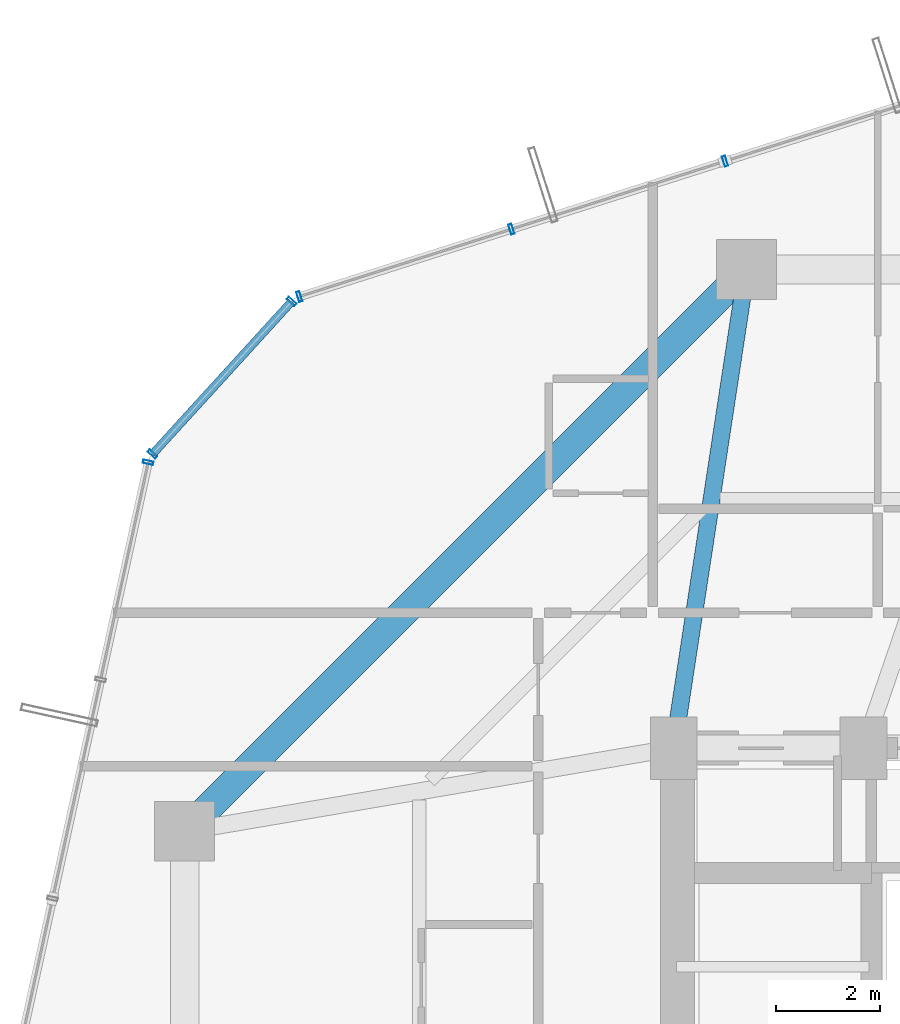
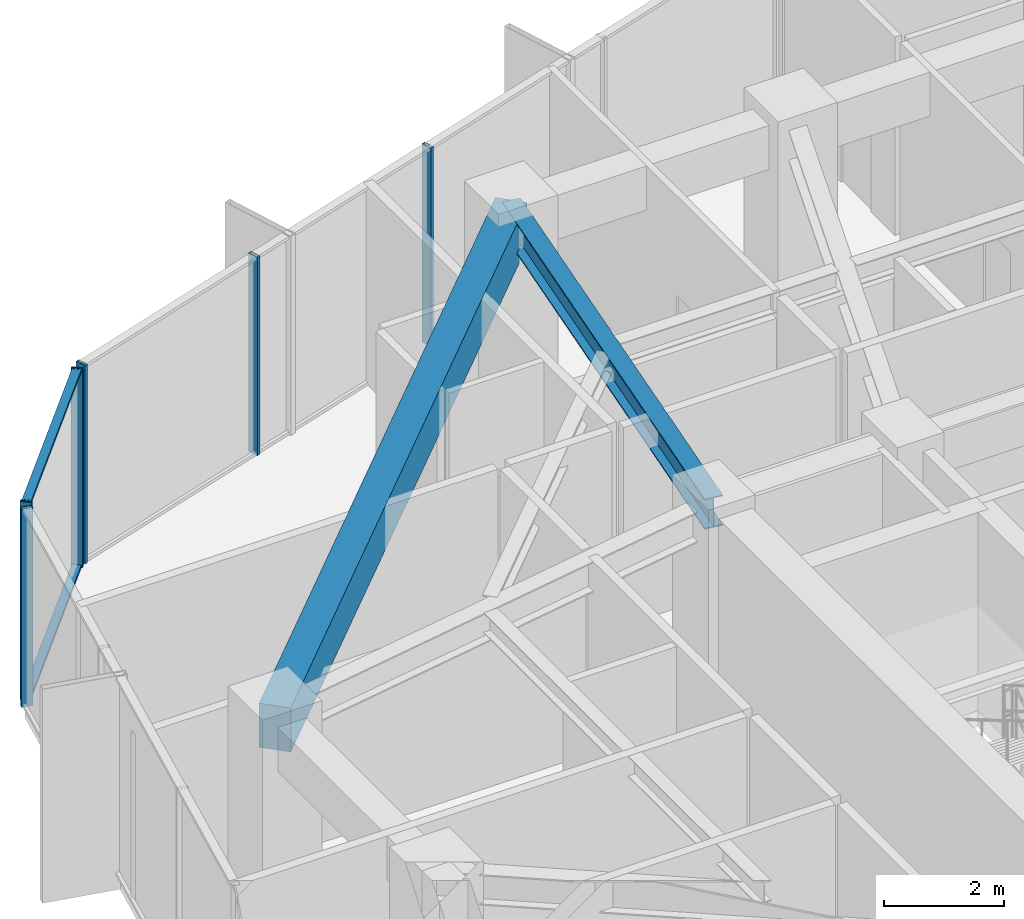
# One storey, part 17 of 28: 8 members, 2 beams, 3 elements without a shape of their own.
"""IFC4 building model written with IfcOpenShell, lengths in metres."""

from ifc_helpers import new_model, si_unit, direction, frame, origin, origin_2d, place, context, subcontext, project, spatial, rectangle, hollow_rectangle, i_section, extrude, source, transform, mapped, material, layer, layer_set, material_profile, profile_set, type_object, element, aggregate, save


model = new_model("IFC4")

# Units and contexts
model_context = context("Model", 3, precision=1e-05, world=origin(), true_north=direction((0.0, 1.0)))
body_context = subcontext(model_context, "Body", "Model", "MODEL_VIEW")
ifc_project = project(units=[si_unit("LENGTHUNIT", "METRE"), si_unit("AREAUNIT", "SQUARE_METRE"), si_unit("VOLUMEUNIT", "CUBIC_METRE"), si_unit("PLANEANGLEUNIT", "RADIAN"), si_unit("MASSUNIT", "GRAM", prefix="KILO")], contexts=[model_context])

# Site, building, storey
site_placement = place(None, origin())
site = spatial("IfcSite", under=ifc_project, at=site_placement, CompositionType="ELEMENT")
building_placement = place(site_placement, origin())
building = spatial("IfcBuilding", under=site, at=building_placement, Name="Veraguas Prism Commons", CompositionType="ELEMENT")
storey_placement = place(building_placement, frame((0.0, 0.0, 85.14990234375)))
storey = spatial("IfcBuildingStorey", under=building, at=storey_placement, Name="L23", CompositionType="ELEMENT", Elevation=85.14990234375)

# Beams
ifc_material_1 = material(Name="Concrete C50/60", Category="concrete")
ifc_material_profile_1 = material_profile(ifc_material_1, rectangle(XDim=0.550048828125, YDim=0.89990234375, at=origin_2d()), Name="RC550X900")
ifc_profile_set_1 = profile_set([ifc_material_profile_1], Name="Concrete C50/60")
beam_type_1 = type_object("IfcBeamType", Name="Perimeter Spandrel Lower RC 550x900", PredefinedType="SPANDREL", material=ifc_profile_set_1)
beam_1_placement = place(storey_placement, frame((18.60009765625, 40.199951171875, 3.60009765625), z_axis=(-0.707106781187, -0.707106781187, 0.0), x_axis=(0.707106781187, -0.707106781187, 0.0)))
element("IfcBeam", 1, at=beam_1_placement, inside=storey, type_object=beam_type_1, Name="Perimeter Spandrel Beam L23-SP06", PredefinedType="SPANDREL", context=body_context, shape_type="SweptSolid", body=[
    extrude(rectangle(XDim=0.550048828125, YDim=0.89990234375, at=origin_2d()), origin(), (0.0, 0.0, 1.0), 15.273681640625),
])
ifc_material_2 = material(Name="Steel ASTM A992 Grade 50", Category="steel")
ifc_material_profile_2 = material_profile(ifc_material_2, i_section(OverallWidth=0.327880859375, OverallDepth=0.6220703125, WebThickness=0.015380859375, FlangeThickness=0.0244140625, at=origin_2d()), Name="W610X195")
ifc_profile_set_2 = profile_set([ifc_material_profile_2], Name="Steel ASTM A992 Grade 50")
beam_type_2 = type_object("IfcBeamType", Name="Zone 2 Radial Girder W610x195", PredefinedType="BEAM", material=ifc_profile_set_2)
beam_2_placement = place(storey_placement, frame((18.60009765625, 40.199951171875, 3.739013671875), z_axis=(-0.150458162136, -0.98861637729, 0.0), x_axis=(0.98861637729, -0.150458162136, 0.0)))
element("IfcBeam", 2, at=beam_2_placement, inside=storey, type_object=beam_type_2, Name="Radial Floor Girder L23-RD06", PredefinedType="BEAM", context=body_context, shape_type="SweptSolid", body=[
    extrude(i_section(OverallWidth=0.327880859375, OverallDepth=0.6220703125, WebThickness=0.015380859375, FlangeThickness=0.0244140625, at=origin_2d()), origin(), (0.0, 0.0, 1.0), 9.305908203125),
])

# Curtain wall, members
ifc_material_3 = material(Name="Anodised aluminium EN AW-6063 T6", Category="aluminium")
ifc_layer = layer(ifc_material_3, 0.199951171875, Name="Sky Lobby and Pool Acoustic Curtain Wall", Category="aluminium")
ifc_layer_set = layer_set([ifc_layer], Name="Anodised aluminium EN AW-6063 T6")
curtain_wall_type = type_object("IfcCurtainWallType", Name="Sky Lobby and Pool Acoustic Curtain Wall", PredefinedType="NOTDEFINED", material=ifc_layer_set)
curtain_wall_1_placement = place(storey_placement, origin())
curtain_wall_1 = element("IfcCurtainWall", 3, at=curtain_wall_1_placement, inside=storey, type_object=curtain_wall_type, Name="Tower Facade Curtain Wall L23-F2", PredefinedType="NOTDEFINED")
ifc_material_profile_3 = material_profile(ifc_material_3, hollow_rectangle(XDim=0.06494140625, YDim=0.199951171875, WallThickness=0.00390625, at=origin_2d()), Name="AL65X200X4")
ifc_profile_set_3 = profile_set([ifc_material_profile_3], Name="Anodised aluminium EN AW-6063 T6")
member_type_1 = type_object("IfcMemberType", Name="Curtain Wall Mullion Heavy AL 65x200x4", PredefinedType="MULLION", material=ifc_profile_set_3)
shared_shape_1 = source(origin(), body_context, "Body", "SweptSolid", [
    extrude(hollow_rectangle(XDim=0.06494140625, YDim=0.199951171875, WallThickness=0.00390625, at=origin_2d()), origin(), (0.0, 0.0, 1.0), 4.050048828125),
])
member_1_placement = place(storey_placement, frame((18.18701171875, 42.280517578125, 0.0), z_axis=(0.0, 0.0, 1.0), x_axis=(-0.952979341517, -0.303035269633, 0.0)))
member_1 = element("IfcMember", 4, at=member_1_placement, type_object=member_type_1, Name="CW-SKY Mullion 3", PredefinedType="MULLION", context=body_context, shape_type="MappedRepresentation", body=[
    mapped(shared_shape_1, transform((0.0, 0.0, 0.0), scale=1.0)),
])
member_2_placement = place(storey_placement, frame((14.0810546875, 40.974853515625, 0.0), z_axis=(0.0, 0.0, 1.0), x_axis=(-0.952979341517, -0.303035269633, 0.0)))
member_2 = element("IfcMember", 5, at=member_2_placement, type_object=member_type_1, Name="CW-SKY Mullion 4", PredefinedType="MULLION", context=body_context, shape_type="MappedRepresentation", body=[
    mapped(shared_shape_1, transform((0.0, 0.0, 0.0), scale=1.0)),
])
member_3_placement = place(storey_placement, frame((10.006103515625, 39.678955078125, 0.0), z_axis=(0.0, 0.0, 1.0), x_axis=(-0.952979341517, -0.303035269633, 0.0)))
member_3 = element("IfcMember", 6, at=member_3_placement, type_object=member_type_1, Name="CW-SKY Mullion 5", PredefinedType="MULLION", context=body_context, shape_type="MappedRepresentation", body=[
    mapped(shared_shape_1, transform((0.0, 0.0, 0.0), scale=1.0)),
])
aggregate(curtain_wall_1, [member_1, member_2, member_3])

# Curtain wall, member
curtain_wall_2_placement = place(storey_placement, origin())
curtain_wall_2 = element("IfcCurtainWall", 7, at=curtain_wall_2_placement, inside=storey, type_object=curtain_wall_type, Name="Tower Facade Curtain Wall L23-F3", PredefinedType="NOTDEFINED")
member_4_placement = place(storey_placement, frame((7.099853515625, 36.49169921875, 0.0), z_axis=(0.0, 0.0, 1.0), x_axis=(-0.21405513389, -0.976821580257, 0.0)))
member_4 = element("IfcMember", 8, at=member_4_placement, type_object=member_type_1, Name="CW-SKY Mullion 1", PredefinedType="MULLION", context=body_context, shape_type="MappedRepresentation", body=[
    mapped(shared_shape_1, transform((0.0, 0.0, 0.0), scale=1.0)),
])
aggregate(curtain_wall_2, [member_4])

# Curtain wall, members
curtain_wall_3_placement = place(storey_placement, origin())
curtain_wall_3 = element("IfcCurtainWall", 9, at=curtain_wall_3_placement, inside=storey, type_object=curtain_wall_type, Name="Chamfer Curtain Wall L23-C3", PredefinedType="NOTDEFINED")
member_5_placement = place(storey_placement, frame((9.855712890625, 39.582763671875, 0.0), z_axis=(0.0, 0.0, 1.0), x_axis=(-0.673790553217, -0.738922384554, 0.0)))
member_5 = element("IfcMember", 10, at=member_5_placement, type_object=member_type_1, Name="CW-SKY Mullion 1", PredefinedType="MULLION", context=body_context, shape_type="MappedRepresentation", body=[
    mapped(shared_shape_1, transform((0.0, 0.0, 0.0), scale=1.0)),
])
member_6_placement = place(storey_placement, frame((7.181884765625, 36.650390625, 0.0), z_axis=(0.0, 0.0, 1.0), x_axis=(-0.673790553217, -0.738922384554, 0.0)))
member_6 = element("IfcMember", 11, at=member_6_placement, type_object=member_type_1, Name="CW-SKY Mullion 2", PredefinedType="MULLION", context=body_context, shape_type="MappedRepresentation", body=[
    mapped(shared_shape_1, transform((0.0, 0.0, 0.0), scale=1.0)),
])
ifc_material_profile_4 = material_profile(ifc_material_3, hollow_rectangle(XDim=0.06005859375, YDim=0.159912109375, WallThickness=0.0029296875, at=origin_2d()), Name="AL60X160X3")
ifc_profile_set_4 = profile_set([ifc_material_profile_4], Name="Anodised aluminium EN AW-6063 T6")
member_type_2 = type_object("IfcMemberType", Name="Curtain Wall Transom Heavy AL 60x160x3", PredefinedType="USERDEFINED", material=ifc_profile_set_4)
shared_shape_2 = source(origin(), body_context, "Body", "SweptSolid", [
    extrude(hollow_rectangle(XDim=0.06005859375, YDim=0.159912109375, WallThickness=0.0029296875, at=origin_2d()), origin(), (0.0, 0.0, 1.0), 3.968505859375),
])
member_7_placement = place(storey_placement, frame((9.855712890625, 39.582763671875, 0.030029296875), z_axis=(-0.673780534852, -0.738931519733, 0.0), x_axis=(0.0, 0.0, 1.0)))
member_7 = element("IfcMember", 12, at=member_7_placement, type_object=member_type_2, Name="CW-SKY Transom 1", ObjectType="TRANSOM", PredefinedType="USERDEFINED", context=body_context, shape_type="MappedRepresentation", body=[
    mapped(shared_shape_2, transform((0.0, 0.0, 0.0), scale=1.0)),
])
member_8_placement = place(storey_placement, frame((9.855712890625, 39.582763671875, 4.02001953125), z_axis=(-0.673780534852, -0.738931519733, 0.0), x_axis=(0.0, 0.0, 1.0)))
member_8 = element("IfcMember", 13, at=member_8_placement, type_object=member_type_2, Name="CW-SKY Transom 2", ObjectType="TRANSOM", PredefinedType="USERDEFINED", context=body_context, shape_type="MappedRepresentation", body=[
    mapped(shared_shape_2, transform((0.0, 0.0, 0.0), scale=1.0)),
])
aggregate(curtain_wall_3, [member_5, member_6, member_7, member_8])

save(model, "model.ifc")
